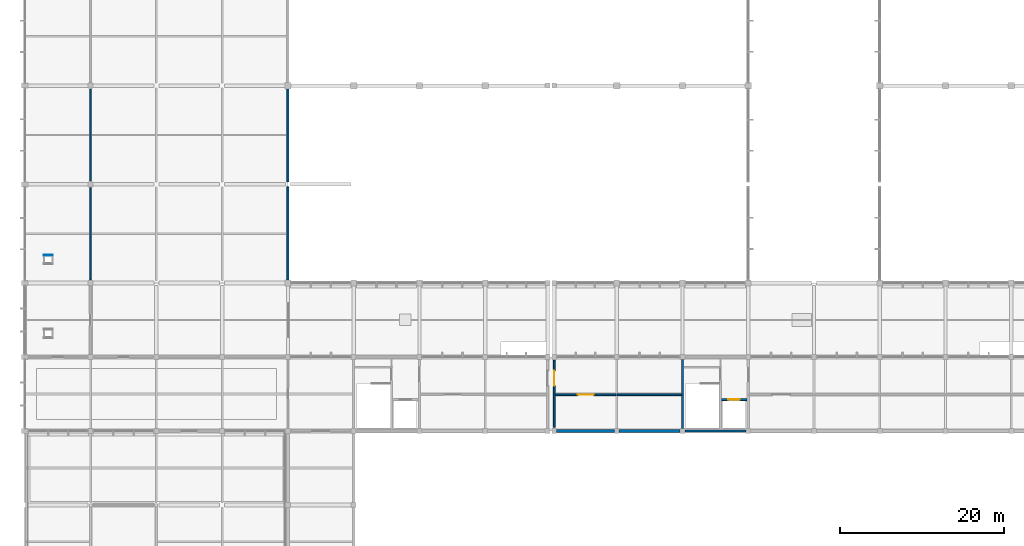
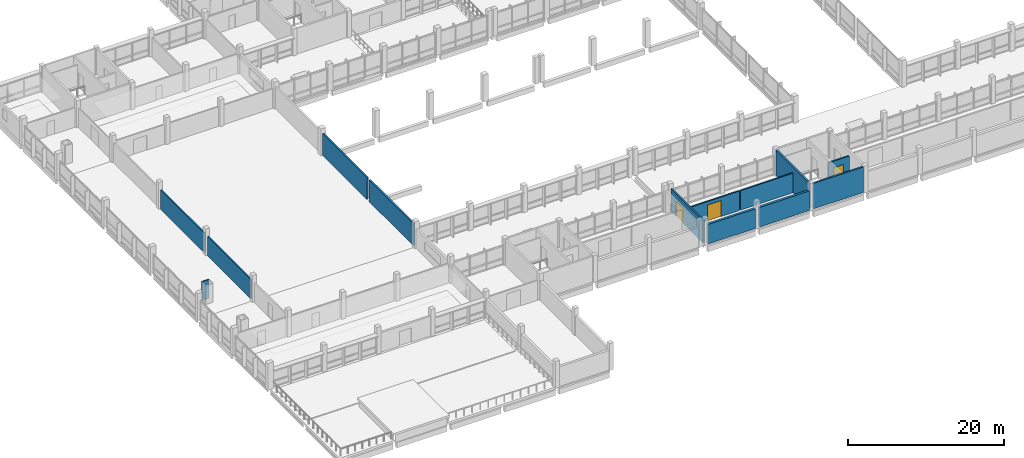
# One storey, part 56 of 70: 13 walls, 3 doors, 3 openings.
"""IFC4 building model written with IfcOpenShell, lengths in metres."""

from ifc_helpers import new_model, si_unit, direction, frame, frame_2d, origin, place, context, subcontext, project, spatial, rectangle, extrude, material, layer, layer_set, type_object, element, fill, save


model = new_model("IFC4")

# Units and contexts
model_context = context("Model", 3, precision=1e-05, world=origin(), true_north=direction((0.0, 1.0)))
body_context = subcontext(model_context, "Body", "Model", "MODEL_VIEW")
ifc_project = project(units=[si_unit("LENGTHUNIT", "METRE"), si_unit("AREAUNIT", "SQUARE_METRE"), si_unit("VOLUMEUNIT", "CUBIC_METRE"), si_unit("PLANEANGLEUNIT", "RADIAN"), si_unit("MASSUNIT", "GRAM", prefix="KILO"), si_unit("THERMODYNAMICTEMPERATUREUNIT", "KELVIN"), si_unit("POWERUNIT", "WATT")], contexts=[model_context])

# Site, building, storey
site_placement = place(None, origin())
site = spatial("IfcSite", under=ifc_project, at=site_placement, CompositionType="ELEMENT")
building_placement = place(site_placement, origin())
building = spatial("IfcBuilding", under=site, at=building_placement, Name="Kronsvod Quay Wholesale Market", CompositionType="ELEMENT")
storey_placement = place(building_placement, frame((0.0, 0.0, 9.0)))
storey = spatial("IfcBuildingStorey", under=building, at=storey_placement, Name="L02", CompositionType="ELEMENT", Elevation=9.0)

# Wall, opening, door
ifc_material_1 = material(Name="Polyisocyanurate insulated cold-room panel")
ifc_layer_1 = layer(ifc_material_1, 0.195068359375)
ifc_layer_set_1 = layer_set([ifc_layer_1], Name="Polyisocyanurate insulated cold-room panel")
wall_type_1 = type_object("IfcWallType", Name="Wall_ColdInsul195", PredefinedType="PARTITIONING", material=ifc_layer_set_1)
wall_1_placement = place(storey_placement, frame((64.5400390625, 40.39990234375, 0.0), z_axis=(0.0, 0.0, 1.0), x_axis=(1.0, 0.0, 0.0)))
wall_1 = element("IfcWall", 1, at=wall_1_placement, inside=storey, type_object=wall_type_1, Name="PW-L02-0022", PredefinedType="PARTITIONING", context=body_context, shape_type="SweptSolid", body=[
    extrude(rectangle(XDim=7.3798828125, YDim=0.195068359375, at=frame_2d((3.68994140625, 0.0))), origin(), (0.0, 0.0, 1.0), 3.050048828125),
])
opening_1_placement = place(wall_1_placement, frame((2.68994140625, 0.0, 0.0)))
opening_1 = element("IfcOpeningElement", 2, at=opening_1_placement, cuts=wall_1, Name="Opening D-0281", PredefinedType="OPENING", context=body_context, shape_type="SweptSolid", body=[
    extrude(rectangle(XDim=2.0, YDim=2.52001953125, at=frame_2d((1.0, 1.260009765625))), frame((0.0, 0.107421875, 0.0), z_axis=(0.0, -1.0, 0.0), x_axis=(1.0, 0.0, 0.0)), (0.0, 0.0, 1.0), 0.215087890625),
])
ifc_material_2 = material(Name="Insulated stainless cold-store door", Category="steel")
door_type_1 = type_object("IfcDoorType", Name="Door_ColdSlide200x252", OperationType="SLIDING_TO_RIGHT", PredefinedType="DOOR", material=ifc_material_2)
door_1_placement = place(opening_1_placement, origin())
door_1 = element("IfcDoor", 3, at=door_1_placement, inside=storey, type_object=door_type_1, Name="Interior Door D-0281", OperationType="SLIDING_TO_LEFT", OverallHeight=2.52001953125, OverallWidth=2.0, PredefinedType="DOOR", context=body_context, shape_type="SweptSolid", body=[
    extrude(rectangle(XDim=2.0, YDim=2.52001953125, at=frame_2d((1.0, 1.260009765625))), frame((0.0, 0.02490234375, 0.0), z_axis=(0.0, -1.0, 0.0), x_axis=(1.0, 0.0, 0.0)), (0.0, 0.0, 1.0), 0.050048828125),
])
fill(opening_1, door_1)

# Walls
wall_2_placement = place(storey_placement, frame((72.080078125, 40.39990234375, 0.0), z_axis=(0.0, 0.0, 1.0), x_axis=(1.0, 0.0, 0.0)))
element("IfcWall", 4, at=wall_2_placement, inside=storey, type_object=wall_type_1, Name="PW-L02-0023", PredefinedType="PARTITIONING", context=body_context, shape_type="SweptSolid", body=[
    extrude(rectangle(XDim=7.83984375, YDim=0.195068359375, at=frame_2d((3.919921875, 0.0))), origin(), (0.0, 0.0, 1.0), 3.050048828125),
])
ifc_material_3 = material(Name="Concrete C35/45", Category="concrete")
ifc_layer_2 = layer(ifc_material_3, 0.260009765625)
ifc_layer_set_2 = layer_set([ifc_layer_2], Name="Concrete C35/45")
wall_type_2 = type_object("IfcWallType", Name="Wall_CoreShear260", PredefinedType="SHEAR", material=ifc_layer_set_2)
wall_3_placement = place(storey_placement, frame((80.294921875, 36.0, 0.0), z_axis=(0.0, 0.0, 1.0), x_axis=(1.0, 0.0, 0.0)))
element("IfcWall", 5, at=wall_3_placement, inside=storey, type_object=wall_type_2, Name="CW-C04-L02-S", PredefinedType="SHEAR", context=body_context, shape_type="SweptSolid", body=[
    extrude(rectangle(XDim=7.41015625, YDim=0.260009765625, at=frame_2d((3.705078125, 0.0))), origin(), (0.0, 0.0, 1.0), 3.985107421875),
])
wall_4_placement = place(storey_placement, frame((80.0, 36.294921875, 0.0), z_axis=(0.0, 0.0, 1.0), x_axis=(0.0, 1.0, 0.0)))
element("IfcWall", 6, at=wall_4_placement, inside=storey, type_object=wall_type_2, Name="CW-C04-L02-W", PredefinedType="SHEAR", context=body_context, shape_type="SweptSolid", body=[
    extrude(rectangle(XDim=8.41015625, YDim=0.260009765625, at=frame_2d((4.205078125, 0.0))), origin(), (0.0, 0.0, 1.0), 3.985107421875),
])
ifc_material_4 = material(Name="Precast concrete C40/50", Category="concrete")
ifc_layer_3 = layer(ifc_material_4, 0.340087890625)
ifc_layer_set_3 = layer_set([ifc_layer_3], Name="Precast concrete C40/50")
wall_type_3 = type_object("IfcWallType", Name="Wall_ExtColdSandwich340", PredefinedType="SOLIDWALL", material=ifc_layer_set_3)
wall_5_placement = place(storey_placement, frame((64.695068359375, 36.0, 0.0), z_axis=(0.0, 0.0, 1.0), x_axis=(1.0, 0.0, 0.0)))
element("IfcWall", 7, at=wall_5_placement, inside=storey, type_object=wall_type_3, Name="EW-X-L02-0173", PredefinedType="SOLIDWALL", context=body_context, shape_type="SweptSolid", body=[
    extrude(rectangle(XDim=7.010009765625, YDim=0.340087890625, at=frame_2d((3.5048828125, 0.0))), origin(), (0.0, 0.0, 1.0), 3.050048828125),
])
wall_6_placement = place(storey_placement, frame((72.294921875, 36.0, 0.0), z_axis=(0.0, 0.0, 1.0), x_axis=(1.0, 0.0, 0.0)))
element("IfcWall", 8, at=wall_6_placement, inside=storey, type_object=wall_type_3, Name="EW-X-L02-0174", PredefinedType="SOLIDWALL", context=body_context, shape_type="SweptSolid", body=[
    extrude(rectangle(XDim=7.41015625, YDim=0.340087890625, at=frame_2d((3.705078125, 0.0))), origin(), (0.0, 0.0, 1.0), 3.050048828125),
])

# Wall, opening, door
ifc_material_5 = material(Name="Precast concrete C40/50", Category="concrete")
ifc_layer_4 = layer(ifc_material_5, 0.239990234375)
ifc_layer_set_4 = layer_set([ifc_layer_4], Name="Precast concrete C40/50")
wall_type_4 = type_object("IfcWallType", Name="Wall_ExtSpandrel240", PredefinedType="SOLIDWALL", material=ifc_layer_set_4)
wall_7_placement = place(storey_placement, frame((64.39990234375, 36.419921875, 0.0), z_axis=(0.0, 0.0, 1.0), x_axis=(0.0, 1.0, 0.0)))
wall_7 = element("IfcWall", 9, at=wall_7_placement, inside=storey, type_object=wall_type_4, Name="MJWG-L02-644-360", PredefinedType="SOLIDWALL", context=body_context, shape_type="SweptSolid", body=[
    extrude(rectangle(XDim=8.16015625, YDim=0.239990234375, at=frame_2d((4.080078125, 0.0))), origin(), (0.0, 0.0, 1.0), 3.489990234375),
])
opening_2_placement = place(wall_7_placement, frame((5.10009765625, 0.0, 0.0)))
opening_2 = element("IfcOpeningElement", 10, at=opening_2_placement, cuts=wall_7, Name="Opening D-0378", PredefinedType="OPENING", context=body_context, shape_type="SweptSolid", body=[
    extrude(rectangle(XDim=1.800048828125, YDim=2.300048828125, at=frame_2d((0.89990234375, 1.14990234375))), frame((0.0, 0.1298828125, 0.0), z_axis=(0.0, -1.0, 0.0), x_axis=(1.0, 0.0, 0.0)), (0.0, 0.0, 1.0), 0.260009765625),
])
ifc_material_6 = material(Name="Painted galvanized fire steel", Category="steel")
door_type_2 = type_object("IfcDoorType", Name="Door_FireComp180x230", OperationType="DOUBLE_DOOR_SINGLE_SWING", PredefinedType="DOOR", material=ifc_material_6)
door_2_placement = place(opening_2_placement, origin())
door_2 = element("IfcDoor", 11, at=door_2_placement, inside=storey, type_object=door_type_2, Name="Fire Compartment Door D-0378", OperationType="DOUBLE_DOOR_SINGLE_SWING", OverallHeight=2.300048828125, OverallWidth=1.800048828125, PredefinedType="DOOR", context=body_context, shape_type="SweptSolid", body=[
    extrude(rectangle(XDim=1.800048828125, YDim=2.300048828125, at=frame_2d((0.89990234375, 1.14990234375))), frame((0.0, 0.02490234375, 0.0), z_axis=(0.0, -1.0, 0.0), x_axis=(1.0, 0.0, 0.0)), (0.0, 0.0, 1.0), 0.050048828125),
])
fill(opening_2, door_2)

# Walls
wall_8_placement = place(storey_placement, frame((32.0, 54.344970703125, 0.0), z_axis=(0.0, 0.0, 1.0), x_axis=(0.0, 1.0, 0.0)))
element("IfcWall", 12, at=wall_8_placement, inside=storey, type_object=wall_type_4, Name="EW-AUC-OBS-1", PredefinedType="SOLIDWALL", context=body_context, shape_type="SweptSolid", body=[
    extrude(rectangle(XDim=11.360107421875, YDim=0.239990234375, at=frame_2d((5.68017578125, 0.0))), origin(), (0.0, 0.0, 1.0), 3.419921875),
])
wall_9_placement = place(storey_placement, frame((32.0, 66.294921875, 0.0), z_axis=(0.0, 0.0, 1.0), x_axis=(0.0, 1.0, 0.0)))
element("IfcWall", 13, at=wall_9_placement, inside=storey, type_object=wall_type_4, Name="EW-AUC-OBS-2", PredefinedType="SOLIDWALL", context=body_context, shape_type="SweptSolid", body=[
    extrude(rectangle(XDim=11.3349609375, YDim=0.239990234375, at=frame_2d((5.66748046875, 0.0))), origin(), (0.0, 0.0, 1.0), 3.419921875),
])
ifc_material_7 = material(Name="Double stud acoustic gypsum partition")
ifc_layer_5 = layer(ifc_material_7, 0.175048828125)
ifc_layer_set_5 = layer_set([ifc_layer_5], Name="Double stud acoustic gypsum partition")
wall_type_5 = type_object("IfcWallType", Name="Wall_PartAcoustic175", PredefinedType="PARTITIONING", material=ifc_layer_set_5)
for number, where, z_axis, x_axis, name in (
    (14, (8.0, 54.419921875, 0.0), (0.0, 0.0, 1.0), (0.0, 1.0, 0.0), "PW-L02-0007"),
    (15, (8.0, 66.419921875, 0.0), (0.0, 0.0, 1.0), (0.0, 1.0, 0.0), "PW-L02-0008"),
):
    element("IfcWall", number, at=place(storey_placement, frame(where, z_axis=z_axis, x_axis=x_axis)), inside=storey, type_object=wall_type_5, Name=name, PredefinedType="PARTITIONING", context=body_context, shape_type="SweptSolid", body=[
        extrude(rectangle(XDim=11.16015625, YDim=0.175048828125, at=frame_2d((5.580078125, 0.0))), origin(), (0.0, 0.0, 1.0), 3.050048828125),
    ])
ifc_material_8 = material(Name="Fire-rated shaft riser block wall", Category="masonry")
ifc_layer_6 = layer(ifc_material_8, 0.1201171875)
ifc_layer_set_6 = layer_set([ifc_layer_6], Name="Fire-rated shaft riser block wall")
wall_type_6 = type_object("IfcWallType", Name="Wall_PartRiser120", PredefinedType="PARTITIONING", material=ifc_layer_set_6)
wall_10_placement = place(storey_placement, frame((2.320068359375, 57.360107421875, 0.0), z_axis=(0.0, 0.0, 1.0), x_axis=(1.0, 0.0, 0.0)))
element("IfcWall", 16, at=wall_10_placement, inside=storey, type_object=wall_type_6, Name="RSRW-SLB-L02-106-N", PredefinedType="PARTITIONING", context=body_context, shape_type="SweptSolid", body=[
    extrude(rectangle(XDim=1.059814453125, YDim=0.1201171875, at=frame_2d((0.52978515625, 0.0))), origin(), (0.0, 0.0, 1.0), 2.949951171875),
])

# Wall, opening, door
ifc_material_9 = material(Name="Concrete C35/45", Category="concrete")
ifc_layer_7 = layer(ifc_material_9, 0.239990234375)
ifc_layer_set_7 = layer_set([ifc_layer_7], Name="Concrete C35/45")
wall_type_7 = type_object("IfcWallType", Name="Wall_ShaftWall240", PredefinedType="SHEAR", material=ifc_layer_set_7)
wall_11_placement = place(storey_placement, frame((84.75, 39.800048828125, 0.0), z_axis=(0.0, 0.0, 1.0), x_axis=(1.0, 0.0, 0.0)))
wall_11 = element("IfcWall", 17, at=wall_11_placement, inside=storey, type_object=wall_type_7, Name="CW-C04-L02-LSH", PredefinedType="SHEAR", context=body_context, shape_type="SweptSolid", body=[
    extrude(rectangle(XDim=3.070068359375, YDim=0.239990234375, at=frame_2d((1.53515625, 0.0))), origin(), (0.0, 0.0, 1.0), 3.3349609375),
])
opening_3_placement = place(wall_11_placement, frame((0.8349609375, 0.0, 0.0)))
opening_3 = element("IfcOpeningElement", 18, at=opening_3_placement, cuts=wall_11, Name="Opening D-0044", PredefinedType="OPENING", context=body_context, shape_type="SweptSolid", body=[
    extrude(rectangle(XDim=1.39990234375, YDim=2.300048828125, at=frame_2d((0.699951171875, 1.14990234375))), frame((0.0, 0.1298828125, 0.0), z_axis=(0.0, -1.0, 0.0), x_axis=(1.0, 0.0, 0.0)), (0.0, 0.0, 1.0), 0.260009765625),
])
ifc_material_10 = material(Name="Brushed stainless steel", Category="steel")
door_type_3 = type_object("IfcDoorType", Name="Door_LiftLandingGoods", OperationType="SLIDING_TO_LEFT", PredefinedType="DOOR", material=ifc_material_10)
door_3_placement = place(opening_3_placement, origin())
door_3 = element("IfcDoor", 19, at=door_3_placement, inside=storey, type_object=door_type_3, Name="Lift Landing Door LFT-G03 L02", OperationType="SLIDING_TO_LEFT", OverallHeight=2.300048828125, OverallWidth=1.39990234375, PredefinedType="DOOR", context=body_context, shape_type="SweptSolid", body=[
    extrude(rectangle(XDim=1.39990234375, YDim=2.300048828125, at=frame_2d((0.699951171875, 1.14990234375))), frame((0.0, 0.02490234375, 0.0), z_axis=(0.0, -1.0, 0.0), x_axis=(1.0, 0.0, 0.0)), (0.0, 0.0, 1.0), 0.050048828125),
])
fill(opening_3, door_3)

save(model, "model.ifc")
